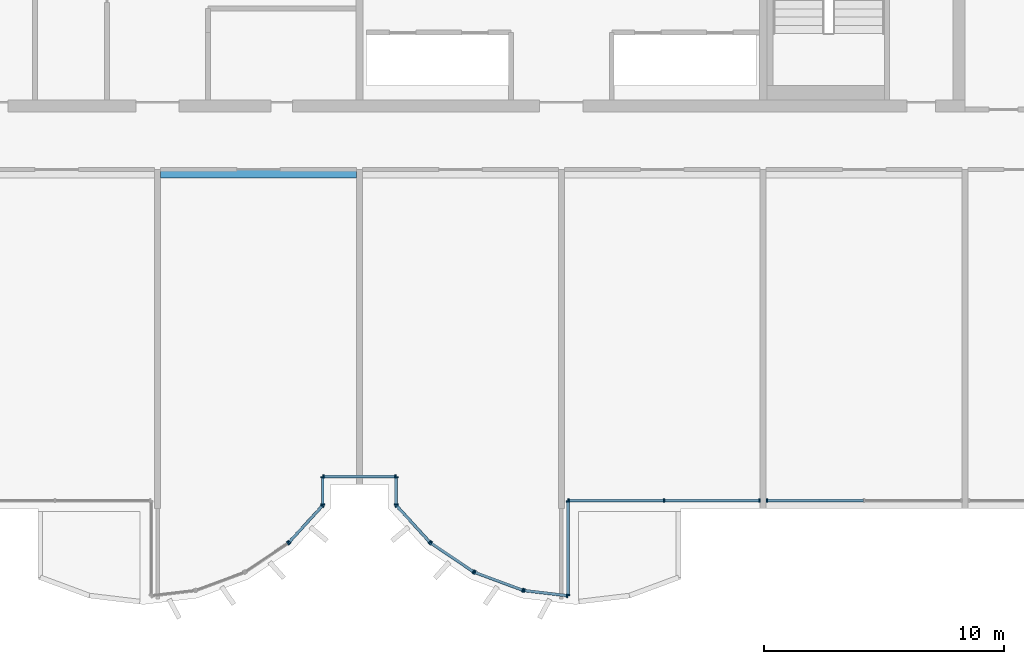
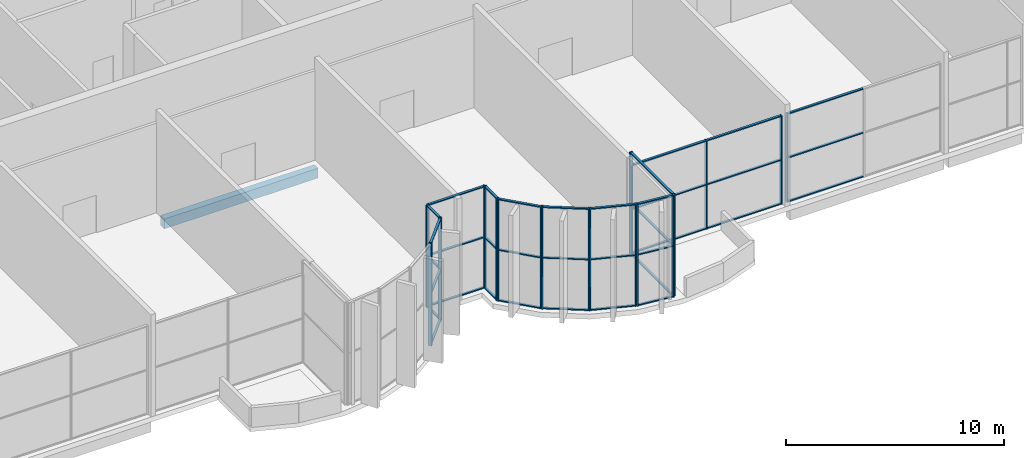
# One storey, part 4 of 17: 59 members, 1 beam, 12 elements without a shape of their own.
"""IFC4 building model written with IfcOpenShell, lengths in metres."""

from ifc_helpers import new_model, si_unit, direction, frame, origin, origin_2d, place, context, subcontext, project, spatial, rectangle, extrude, source, transform, mapped, material, material_profile, profile_set, type_object, element, aggregate, save


model = new_model("IFC4")

# Units and contexts
model_context = context("Model", 3, precision=1e-05, world=origin(), true_north=direction((0.0, 1.0)))
body_context = subcontext(model_context, "Body", "Model", "MODEL_VIEW")
ifc_project = project(units=[si_unit("LENGTHUNIT", "METRE"), si_unit("AREAUNIT", "SQUARE_METRE"), si_unit("VOLUMEUNIT", "CUBIC_METRE"), si_unit("PLANEANGLEUNIT", "RADIAN"), si_unit("MASSUNIT", "GRAM", prefix="KILO")], contexts=[model_context])

# Site, building, storey
site_placement = place(None, origin())
site = spatial("IfcSite", under=ifc_project, at=site_placement, CompositionType="ELEMENT")
building_placement = place(site_placement, origin())
building = spatial("IfcBuilding", under=site, at=building_placement, Name="Vanashikhar Sky Hotel", CompositionType="ELEMENT")
storey_placement = place(building_placement, frame((0.0, 0.0, 323.699951171875)))
storey = spatial("IfcBuildingStorey", under=building, at=storey_placement, Name="L77", CompositionType="ELEMENT", Elevation=323.699951171875)

# Beam
ifc_material_1 = material(Name="Concrete M50", Category="concrete")
ifc_material_profile_1 = material_profile(ifc_material_1, rectangle(XDim=0.35009765625, YDim=0.550048828125, at=origin_2d()))
ifc_profile_set_1 = profile_set([ifc_material_profile_1], Name="RC 350x550 beam Concrete M50")
beam_type = type_object("IfcBeamType", Name="RC 350x550 beam Concrete M50", PredefinedType="SPANDREL", material=ifc_profile_set_1)
shared_shape_1 = source(origin(), body_context, "Body", "SweptSolid", [
    extrude(rectangle(XDim=0.35009765625, YDim=0.550048828125, at=origin_2d()), origin(), (0.0, 0.0, 1.0), 8.14990234375),
])
beam_placement = place(storey_placement, frame((42.125, 19.425048828125, -0.554931640625), z_axis=(1.0, 0.0, 0.0), x_axis=(0.0, 1.0, 0.0)))
element("IfcBeam", 1, at=beam_placement, inside=storey, type_object=beam_type, Name="CB-L77-03", PredefinedType="SPANDREL", context=body_context, shape_type="MappedRepresentation", body=[
    mapped(shared_shape_1, transform((0.0, 0.0, 0.0), scale=1.0)),
])

# Curtain wall, members
ifc_material_2 = material(Name="Glass", Category="glass")
curtain_wall_type = type_object("IfcCurtainWallType", Name="Sky restaurant glazing", PredefinedType="NOTDEFINED", material=ifc_material_2)
curtain_wall_1_placement = place(storey_placement, origin())
curtain_wall_1 = element("IfcCurtainWall", 2, at=curtain_wall_1_placement, inside=storey, type_object=curtain_wall_type, Name="Sky restaurant glazing", PredefinedType="NOTDEFINED")
ifc_material_3 = material(Name="Aluminium 6063-T6", Category="aluminium")
ifc_material_profile_2 = material_profile(ifc_material_3, rectangle(XDim=0.159912109375, YDim=0.06005859375, at=origin_2d()))
ifc_profile_set_2 = profile_set([ifc_material_profile_2], Name="Aluminium 6063-T6")
member_type_1 = type_object("IfcMemberType", Name="Sky restaurant mullion 60 x 160", PredefinedType="MULLION", material=ifc_profile_set_2)
shared_shape_2 = source(origin(), body_context, "Body", "SweptSolid", [
    extrude(rectangle(XDim=0.159912109375, YDim=0.06005859375, at=origin_2d()), origin(), (0.0, 0.0, 1.0), 4.969970703125),
])
member_1_placement = place(storey_placement, frame((59.10498046875, 5.824951171875, 0.0), z_axis=(0.0, 0.0, 1.0), x_axis=(0.0, 1.0, 0.0)))
member_1 = element("IfcMember", 3, at=member_1_placement, type_object=member_type_1, Name="CW-5 mullion 1", PredefinedType="MULLION", context=body_context, shape_type="MappedRepresentation", body=[
    mapped(shared_shape_2, transform((0.0, 0.0, 0.0), scale=1.0)),
])
member_2_placement = place(storey_placement, frame((63.074951171875, 5.824951171875, 0.0), z_axis=(0.0, 0.0, 1.0), x_axis=(0.0, 1.0, 0.0)))
member_2 = element("IfcMember", 4, at=member_2_placement, type_object=member_type_1, Name="CW-5 mullion 2", PredefinedType="MULLION", context=body_context, shape_type="MappedRepresentation", body=[
    mapped(shared_shape_2, transform((0.0, 0.0, 0.0), scale=1.0)),
])
member_3_placement = place(storey_placement, frame((67.044921875, 5.824951171875, 0.0), z_axis=(0.0, 0.0, 1.0), x_axis=(0.0, 1.0, 0.0)))
member_3 = element("IfcMember", 5, at=member_3_placement, type_object=member_type_1, Name="CW-5 mullion 3", PredefinedType="MULLION", context=body_context, shape_type="MappedRepresentation", body=[
    mapped(shared_shape_2, transform((0.0, 0.0, 0.0), scale=1.0)),
])

curtain_wall_2_placement = place(storey_placement, origin())
curtain_wall_2 = element("IfcCurtainWall", 6, at=curtain_wall_2_placement, inside=storey, type_object=curtain_wall_type, Name="Sky restaurant glazing", PredefinedType="NOTDEFINED")
member_4_placement = place(storey_placement, frame((67.35498046875, 5.824951171875, 0.0), z_axis=(0.0, 0.0, 1.0), x_axis=(0.0, 1.0, 0.0)))
member_4 = element("IfcMember", 7, at=member_4_placement, type_object=member_type_1, Name="CW-5 mullion 1", PredefinedType="MULLION", context=body_context, shape_type="MappedRepresentation", body=[
    mapped(shared_shape_2, transform((0.0, 0.0, 0.0), scale=1.0)),
])
ifc_material_profile_3 = material_profile(ifc_material_3, rectangle(XDim=0.1201171875, YDim=0.06005859375, at=origin_2d()))
ifc_profile_set_3 = profile_set([ifc_material_profile_3], Name="Aluminium 6063-T6")
member_type_2 = type_object("IfcMemberType", Name="Sky restaurant transom 60 x 120", PredefinedType="USERDEFINED", material=ifc_profile_set_3)
shared_shape_3 = source(origin(), body_context, "Body", "SweptSolid", [
    extrude(rectangle(XDim=0.1201171875, YDim=0.06005859375, at=origin_2d()), origin(), (0.0, 0.0, 1.0), 3.985107421875),
])
member_5_placement = place(storey_placement, frame((67.385009765625, 5.824951171875, 0.030029296875), z_axis=(1.0, 0.0, 0.0), x_axis=(0.0, 1.0, 0.0)))
member_5 = element("IfcMember", 8, at=member_5_placement, type_object=member_type_2, Name="CW-5 transom 1.1", ObjectType="TRANSOM", PredefinedType="USERDEFINED", context=body_context, shape_type="MappedRepresentation", body=[
    mapped(shared_shape_3, transform((0.0, 0.0, 0.0), scale=1.0)),
])
member_6_placement = place(storey_placement, frame((67.385009765625, 5.824951171875, 2.485107421875), z_axis=(1.0, 0.0, 0.0), x_axis=(0.0, 1.0, 0.0)))
member_6 = element("IfcMember", 9, at=member_6_placement, type_object=member_type_2, Name="CW-5 transom 1.2", ObjectType="TRANSOM", PredefinedType="USERDEFINED", context=body_context, shape_type="MappedRepresentation", body=[
    mapped(shared_shape_3, transform((0.0, 0.0, 0.0), scale=1.0)),
])
member_7_placement = place(storey_placement, frame((67.385009765625, 5.824951171875, 4.93994140625), z_axis=(1.0, 0.0, 0.0), x_axis=(0.0, 1.0, 0.0)))
member_7 = element("IfcMember", 10, at=member_7_placement, type_object=member_type_2, Name="CW-5 transom 1.3", ObjectType="TRANSOM", PredefinedType="USERDEFINED", context=body_context, shape_type="MappedRepresentation", body=[
    mapped(shared_shape_3, transform((0.0, 0.0, 0.0), scale=1.0)),
])
aggregate(curtain_wall_2, [member_4, member_5, member_6, member_7])

# Curtain wall, member
curtain_wall_3_placement = place(storey_placement, origin())
curtain_wall_3 = element("IfcCurtainWall", 11, at=curtain_wall_3_placement, inside=storey, type_object=curtain_wall_type, Name="Sky restaurant glazing", PredefinedType="NOTDEFINED")
shared_shape_4 = source(origin(), body_context, "Body", "SweptSolid", [
    extrude(rectangle(XDim=0.159912109375, YDim=0.06005859375, at=origin_2d()), origin(), (0.0, 0.0, 1.0), 5.719970703125),
])
member_8_placement = place(storey_placement, frame((47.428466796875, 4.05712890625, 0.0), z_axis=(0.0, 0.0, 1.0), x_axis=(-0.558355854624, 0.829601554728, 0.0)))
member_8 = element("IfcMember", 12, at=member_8_placement, type_object=member_type_1, Name="CW-5 mullion 2", PredefinedType="MULLION", context=body_context, shape_type="MappedRepresentation", body=[
    mapped(shared_shape_4, transform((0.0, 0.0, 0.0), scale=1.0)),
])
aggregate(curtain_wall_3, [member_8])

# Curtain wall, members
curtain_wall_4_placement = place(storey_placement, origin())
curtain_wall_4 = element("IfcCurtainWall", 13, at=curtain_wall_4_placement, inside=storey, type_object=curtain_wall_type, Name="Sky restaurant glazing", PredefinedType="NOTDEFINED")
member_9_placement = place(storey_placement, frame((47.4736328125, 4.09619140625, 0.0), z_axis=(0.0, 0.0, 1.0), x_axis=(-0.737471557787, 0.675378191427, 0.0)))
member_9 = element("IfcMember", 14, at=member_9_placement, type_object=member_type_1, Name="CW-5 mullion 1", PredefinedType="MULLION", context=body_context, shape_type="MappedRepresentation", body=[
    mapped(shared_shape_4, transform((0.0, 0.0, 0.0), scale=1.0)),
])
member_10_placement = place(storey_placement, frame((48.854736328125, 5.604248046875, 0.0), z_axis=(0.0, 0.0, 1.0), x_axis=(-0.737471557787, 0.675378191427, 0.0)))
member_10 = element("IfcMember", 15, at=member_10_placement, type_object=member_type_1, Name="CW-5 mullion 2", PredefinedType="MULLION", context=body_context, shape_type="MappedRepresentation", body=[
    mapped(shared_shape_4, transform((0.0, 0.0, 0.0), scale=1.0)),
])

curtain_wall_5_placement = place(storey_placement, origin())
curtain_wall_5 = element("IfcCurtainWall", 16, at=curtain_wall_5_placement, inside=storey, type_object=curtain_wall_type, Name="Sky restaurant glazing", PredefinedType="NOTDEFINED")
member_11_placement = place(storey_placement, frame((48.875, 5.65625, 0.0), z_axis=(0.0, 0.0, 1.0), x_axis=(-1.0, 0.0, 0.0)))
member_11 = element("IfcMember", 17, at=member_11_placement, type_object=member_type_1, Name="CW-5 mullion 1", PredefinedType="MULLION", context=body_context, shape_type="MappedRepresentation", body=[
    mapped(shared_shape_4, transform((0.0, 0.0, 0.0), scale=1.0)),
])
member_12_placement = place(storey_placement, frame((48.875, 6.794921875, 0.0), z_axis=(0.0, 0.0, 1.0), x_axis=(-1.0, 0.0, 0.0)))
member_12 = element("IfcMember", 18, at=member_12_placement, type_object=member_type_1, Name="CW-5 mullion 2", PredefinedType="MULLION", context=body_context, shape_type="MappedRepresentation", body=[
    mapped(shared_shape_4, transform((0.0, 0.0, 0.0), scale=1.0)),
])

curtain_wall_6_placement = place(storey_placement, origin())
curtain_wall_6 = element("IfcCurtainWall", 19, at=curtain_wall_6_placement, inside=storey, type_object=curtain_wall_type, Name="Sky restaurant glazing", PredefinedType="NOTDEFINED")
member_13_placement = place(storey_placement, frame((48.905029296875, 6.824951171875, 0.0), z_axis=(0.0, 0.0, 1.0), x_axis=(0.0, 1.0, 0.0)))
member_13 = element("IfcMember", 20, at=member_13_placement, type_object=member_type_1, Name="CW-5 mullion 1", PredefinedType="MULLION", context=body_context, shape_type="MappedRepresentation", body=[
    mapped(shared_shape_4, transform((0.0, 0.0, 0.0), scale=1.0)),
])
member_14_placement = place(storey_placement, frame((51.89501953125, 6.824951171875, 0.0), z_axis=(0.0, 0.0, 1.0), x_axis=(0.0, 1.0, 0.0)))
member_14 = element("IfcMember", 21, at=member_14_placement, type_object=member_type_1, Name="CW-5 mullion 2", PredefinedType="MULLION", context=body_context, shape_type="MappedRepresentation", body=[
    mapped(shared_shape_4, transform((0.0, 0.0, 0.0), scale=1.0)),
])

curtain_wall_7_placement = place(storey_placement, origin())
curtain_wall_7 = element("IfcCurtainWall", 22, at=curtain_wall_7_placement, inside=storey, type_object=curtain_wall_type, Name="Sky restaurant glazing", PredefinedType="NOTDEFINED")
member_15_placement = place(storey_placement, frame((51.925048828125, 6.794921875, 0.0), z_axis=(0.0, 0.0, 1.0), x_axis=(1.0, 0.0, 0.0)))
member_15 = element("IfcMember", 23, at=member_15_placement, type_object=member_type_1, Name="CW-5 mullion 1", PredefinedType="MULLION", context=body_context, shape_type="MappedRepresentation", body=[
    mapped(shared_shape_4, transform((0.0, 0.0, 0.0), scale=1.0)),
])
member_16_placement = place(storey_placement, frame((51.925048828125, 5.65625, 0.0), z_axis=(0.0, 0.0, 1.0), x_axis=(1.0, 0.0, 0.0)))
member_16 = element("IfcMember", 24, at=member_16_placement, type_object=member_type_1, Name="CW-5 mullion 2", PredefinedType="MULLION", context=body_context, shape_type="MappedRepresentation", body=[
    mapped(shared_shape_4, transform((0.0, 0.0, 0.0), scale=1.0)),
])

curtain_wall_8_placement = place(storey_placement, origin())
curtain_wall_8 = element("IfcCurtainWall", 25, at=curtain_wall_8_placement, inside=storey, type_object=curtain_wall_type, Name="Sky restaurant glazing", PredefinedType="NOTDEFINED")
member_17_placement = place(storey_placement, frame((51.9453125, 5.604248046875, 0.0), z_axis=(0.0, 0.0, 1.0), x_axis=(0.737471557787, 0.675378191427, 0.0)))
member_17 = element("IfcMember", 26, at=member_17_placement, type_object=member_type_1, Name="CW-5 mullion 1", PredefinedType="MULLION", context=body_context, shape_type="MappedRepresentation", body=[
    mapped(shared_shape_4, transform((0.0, 0.0, 0.0), scale=1.0)),
])
member_18_placement = place(storey_placement, frame((53.326416015625, 4.09619140625, 0.0), z_axis=(0.0, 0.0, 1.0), x_axis=(0.737471557787, 0.675378191427, 0.0)))
member_18 = element("IfcMember", 27, at=member_18_placement, type_object=member_type_1, Name="CW-5 mullion 2", PredefinedType="MULLION", context=body_context, shape_type="MappedRepresentation", body=[
    mapped(shared_shape_4, transform((0.0, 0.0, 0.0), scale=1.0)),
])

curtain_wall_9_placement = place(storey_placement, origin())
curtain_wall_9 = element("IfcCurtainWall", 28, at=curtain_wall_9_placement, inside=storey, type_object=curtain_wall_type, Name="Sky restaurant glazing", PredefinedType="NOTDEFINED")
member_19_placement = place(storey_placement, frame((53.37158203125, 4.05712890625, 0.0), z_axis=(0.0, 0.0, 1.0), x_axis=(0.558355854624, 0.829601554728, 0.0)))
member_19 = element("IfcMember", 29, at=member_19_placement, type_object=member_type_1, Name="CW-5 mullion 1", PredefinedType="MULLION", context=body_context, shape_type="MappedRepresentation", body=[
    mapped(shared_shape_4, transform((0.0, 0.0, 0.0), scale=1.0)),
])
member_20_placement = place(storey_placement, frame((55.1416015625, 2.865966796875, 0.0), z_axis=(0.0, 0.0, 1.0), x_axis=(0.558355854624, 0.829601554728, 0.0)))
member_20 = element("IfcMember", 30, at=member_20_placement, type_object=member_type_1, Name="CW-5 mullion 2", PredefinedType="MULLION", context=body_context, shape_type="MappedRepresentation", body=[
    mapped(shared_shape_4, transform((0.0, 0.0, 0.0), scale=1.0)),
])

curtain_wall_10_placement = place(storey_placement, origin())
curtain_wall_10 = element("IfcCurtainWall", 31, at=curtain_wall_10_placement, inside=storey, type_object=curtain_wall_type, Name="Sky restaurant glazing", PredefinedType="NOTDEFINED")
member_21_placement = place(storey_placement, frame((55.194580078125, 2.8388671875, 0.0), z_axis=(0.0, 0.0, 1.0), x_axis=(0.347863704919, 0.937545115075, 0.0)))
member_21 = element("IfcMember", 32, at=member_21_placement, type_object=member_type_1, Name="CW-5 mullion 1", PredefinedType="MULLION", context=body_context, shape_type="MappedRepresentation", body=[
    mapped(shared_shape_4, transform((0.0, 0.0, 0.0), scale=1.0)),
])
member_22_placement = place(storey_placement, frame((57.194580078125, 2.0966796875, 0.0), z_axis=(0.0, 0.0, 1.0), x_axis=(0.347863704919, 0.937545115075, 0.0)))
member_22 = element("IfcMember", 33, at=member_22_placement, type_object=member_type_1, Name="CW-5 mullion 2", PredefinedType="MULLION", context=body_context, shape_type="MappedRepresentation", body=[
    mapped(shared_shape_4, transform((0.0, 0.0, 0.0), scale=1.0)),
])

curtain_wall_11_placement = place(storey_placement, origin())
curtain_wall_11 = element("IfcCurtainWall", 34, at=curtain_wall_11_placement, inside=storey, type_object=curtain_wall_type, Name="Sky restaurant glazing", PredefinedType="NOTDEFINED")
member_23_placement = place(storey_placement, frame((57.252685546875, 2.082763671875, 0.0), z_axis=(0.0, 0.0, 1.0), x_axis=(0.11810716356, 0.993000854942, 0.0)))
member_23 = element("IfcMember", 35, at=member_23_placement, type_object=member_type_1, Name="CW-5 mullion 1", PredefinedType="MULLION", context=body_context, shape_type="MappedRepresentation", body=[
    mapped(shared_shape_4, transform((0.0, 0.0, 0.0), scale=1.0)),
])
member_24_placement = place(storey_placement, frame((59.045166015625, 1.869384765625, 0.0), z_axis=(0.0, 0.0, 1.0), x_axis=(0.11810716356, 0.993000854942, 0.0)))
member_24 = element("IfcMember", 36, at=member_24_placement, type_object=member_type_1, Name="CW-5 mullion 2", PredefinedType="MULLION", context=body_context, shape_type="MappedRepresentation", body=[
    mapped(shared_shape_4, transform((0.0, 0.0, 0.0), scale=1.0)),
])

curtain_wall_12_placement = place(storey_placement, origin())
curtain_wall_12 = element("IfcCurtainWall", 37, at=curtain_wall_12_placement, inside=storey, type_object=curtain_wall_type, Name="Sky restaurant glazing", PredefinedType="NOTDEFINED")
member_25_placement = place(storey_placement, frame((59.074951171875, 1.89599609375, 0.0), z_axis=(0.0, 0.0, 1.0), x_axis=(-1.0, 0.0, 0.0)))
member_25 = element("IfcMember", 38, at=member_25_placement, type_object=member_type_1, Name="CW-5 mullion 1", PredefinedType="MULLION", context=body_context, shape_type="MappedRepresentation", body=[
    mapped(shared_shape_4, transform((0.0, 0.0, 0.0), scale=1.0)),
])
member_26_placement = place(storey_placement, frame((59.074951171875, 5.794921875, 0.0), z_axis=(0.0, 0.0, 1.0), x_axis=(-1.0, 0.0, 0.0)))
member_26 = element("IfcMember", 39, at=member_26_placement, type_object=member_type_1, Name="CW-5 mullion 2", PredefinedType="MULLION", context=body_context, shape_type="MappedRepresentation", body=[
    mapped(shared_shape_4, transform((0.0, 0.0, 0.0), scale=1.0)),
])
shared_shape_5 = source(origin(), body_context, "Body", "SweptSolid", [
    extrude(rectangle(XDim=0.1201171875, YDim=0.06005859375, at=origin_2d()), origin(), (0.0, 0.0, 1.0), 3.839111328125),
])
member_27_placement = place(storey_placement, frame((59.074951171875, 1.92578125, 0.030029296875), z_axis=(0.0, 1.0, 0.0), x_axis=(-1.0, 0.0, 0.0)))
member_27 = element("IfcMember", 40, at=member_27_placement, type_object=member_type_2, Name="CW-5 transom 1.1", ObjectType="TRANSOM", PredefinedType="USERDEFINED", context=body_context, shape_type="MappedRepresentation", body=[
    mapped(shared_shape_5, transform((0.0, 0.0, 0.0), scale=1.0)),
])
member_28_placement = place(storey_placement, frame((59.074951171875, 1.92578125, 2.860107421875), z_axis=(0.0, 1.0, 0.0), x_axis=(-1.0, 0.0, 0.0)))
member_28 = element("IfcMember", 41, at=member_28_placement, type_object=member_type_2, Name="CW-5 transom 1.2", ObjectType="TRANSOM", PredefinedType="USERDEFINED", context=body_context, shape_type="MappedRepresentation", body=[
    mapped(shared_shape_5, transform((0.0, 0.0, 0.0), scale=1.0)),
])
member_29_placement = place(storey_placement, frame((59.074951171875, 1.92578125, 5.68994140625), z_axis=(0.0, 1.0, 0.0), x_axis=(-1.0, 0.0, 0.0)))
member_29 = element("IfcMember", 42, at=member_29_placement, type_object=member_type_2, Name="CW-5 transom 1.3", ObjectType="TRANSOM", PredefinedType="USERDEFINED", context=body_context, shape_type="MappedRepresentation", body=[
    mapped(shared_shape_5, transform((0.0, 0.0, 0.0), scale=1.0)),
])
aggregate(curtain_wall_12, [member_25, member_26, member_27, member_28, member_29])

# Member
shared_shape_6 = source(origin(), body_context, "Body", "SweptSolid", [
    extrude(rectangle(XDim=0.1201171875, YDim=0.06005859375, at=origin_2d()), origin(), (0.0, 0.0, 1.0), 1.7451171875),
])
member_30_placement = place(storey_placement, frame((57.282470703125, 2.0791015625, 0.030029296875), z_axis=(0.993004686546, -0.118074944413, 0.0), x_axis=(0.118074944413, 0.993004686546, 0.0)))
member_30 = element("IfcMember", 43, at=member_30_placement, type_object=member_type_2, Name="CW-5 transom 1.1", ObjectType="TRANSOM", PredefinedType="USERDEFINED", context=body_context, shape_type="MappedRepresentation", body=[
    mapped(shared_shape_6, transform((0.0, 0.0, 0.0), scale=1.0)),
])

member_31_placement = place(storey_placement, frame((57.282470703125, 2.0791015625, 2.860107421875), z_axis=(0.993004686546, -0.118074944413, 0.0), x_axis=(0.118074944413, 0.993004686546, 0.0)))
member_31 = element("IfcMember", 44, at=member_31_placement, type_object=member_type_2, Name="CW-5 transom 1.2", ObjectType="TRANSOM", PredefinedType="USERDEFINED", context=body_context, shape_type="MappedRepresentation", body=[
    mapped(shared_shape_6, transform((0.0, 0.0, 0.0), scale=1.0)),
])

member_32_placement = place(storey_placement, frame((57.282470703125, 2.0791015625, 5.68994140625), z_axis=(0.993004686546, -0.118074944413, 0.0), x_axis=(0.118074944413, 0.993004686546, 0.0)))
member_32 = element("IfcMember", 45, at=member_32_placement, type_object=member_type_2, Name="CW-5 transom 1.3", ObjectType="TRANSOM", PredefinedType="USERDEFINED", context=body_context, shape_type="MappedRepresentation", body=[
    mapped(shared_shape_6, transform((0.0, 0.0, 0.0), scale=1.0)),
])

aggregate(curtain_wall_11, [member_23, member_24, member_30, member_31, member_32])

shared_shape_7 = source(origin(), body_context, "Body", "SweptSolid", [
    extrude(rectangle(XDim=0.1201171875, YDim=0.06005859375, at=origin_2d()), origin(), (0.0, 0.0, 1.0), 2.0732421875),
])
member_33_placement = place(storey_placement, frame((55.22265625, 2.828369140625, 0.030029296875), z_axis=(0.93755259244, -0.347843551629, 0.0), x_axis=(0.347843551629, 0.93755259244, 0.0)))
member_33 = element("IfcMember", 46, at=member_33_placement, type_object=member_type_2, Name="CW-5 transom 1.1", ObjectType="TRANSOM", PredefinedType="USERDEFINED", context=body_context, shape_type="MappedRepresentation", body=[
    mapped(shared_shape_7, transform((0.0, 0.0, 0.0), scale=1.0)),
])

member_34_placement = place(storey_placement, frame((55.22265625, 2.828369140625, 2.860107421875), z_axis=(0.93755259244, -0.347843551629, 0.0), x_axis=(0.347843551629, 0.93755259244, 0.0)))
member_34 = element("IfcMember", 47, at=member_34_placement, type_object=member_type_2, Name="CW-5 transom 1.2", ObjectType="TRANSOM", PredefinedType="USERDEFINED", context=body_context, shape_type="MappedRepresentation", body=[
    mapped(shared_shape_7, transform((0.0, 0.0, 0.0), scale=1.0)),
])

member_35_placement = place(storey_placement, frame((55.22265625, 2.828369140625, 5.68994140625), z_axis=(0.93755259244, -0.347843551629, 0.0), x_axis=(0.347843551629, 0.93755259244, 0.0)))
member_35 = element("IfcMember", 48, at=member_35_placement, type_object=member_type_2, Name="CW-5 transom 1.3", ObjectType="TRANSOM", PredefinedType="USERDEFINED", context=body_context, shape_type="MappedRepresentation", body=[
    mapped(shared_shape_7, transform((0.0, 0.0, 0.0), scale=1.0)),
])

aggregate(curtain_wall_10, [member_21, member_22, member_33, member_34, member_35])

shared_shape_8 = source(origin(), body_context, "Body", "SweptSolid", [
    extrude(rectangle(XDim=0.1201171875, YDim=0.06005859375, at=origin_2d()), origin(), (0.0, 0.0, 1.0), 2.073486328125),
])
member_36_placement = place(storey_placement, frame((53.396484375, 4.04052734375, 0.030029296875), z_axis=(0.829615017144, -0.558335851731, 0.0), x_axis=(0.558335851731, 0.829615017144, 0.0)))
member_36 = element("IfcMember", 49, at=member_36_placement, type_object=member_type_2, Name="CW-5 transom 1.1", ObjectType="TRANSOM", PredefinedType="USERDEFINED", context=body_context, shape_type="MappedRepresentation", body=[
    mapped(shared_shape_8, transform((0.0, 0.0, 0.0), scale=1.0)),
])

member_37_placement = place(storey_placement, frame((53.396484375, 4.04052734375, 2.860107421875), z_axis=(0.829615017144, -0.558335851731, 0.0), x_axis=(0.558335851731, 0.829615017144, 0.0)))
member_37 = element("IfcMember", 50, at=member_37_placement, type_object=member_type_2, Name="CW-5 transom 1.2", ObjectType="TRANSOM", PredefinedType="USERDEFINED", context=body_context, shape_type="MappedRepresentation", body=[
    mapped(shared_shape_8, transform((0.0, 0.0, 0.0), scale=1.0)),
])

member_38_placement = place(storey_placement, frame((53.396484375, 4.04052734375, 5.68994140625), z_axis=(0.829615017144, -0.558335851731, 0.0), x_axis=(0.558335851731, 0.829615017144, 0.0)))
member_38 = element("IfcMember", 51, at=member_38_placement, type_object=member_type_2, Name="CW-5 transom 1.3", ObjectType="TRANSOM", PredefinedType="USERDEFINED", context=body_context, shape_type="MappedRepresentation", body=[
    mapped(shared_shape_8, transform((0.0, 0.0, 0.0), scale=1.0)),
])

aggregate(curtain_wall_9, [member_19, member_20, member_36, member_37, member_38])

shared_shape_9 = source(origin(), body_context, "Body", "SweptSolid", [
    extrude(rectangle(XDim=0.1201171875, YDim=0.06005859375, at=origin_2d()), origin(), (0.0, 0.0, 1.0), 1.98486328125),
])
member_39_placement = place(storey_placement, frame((47.493896484375, 4.1181640625, 0.030029296875), z_axis=(0.675368094737, 0.737480804233, 0.0), x_axis=(-0.737480804233, 0.675368094737, 0.0)))
member_39 = element("IfcMember", 52, at=member_39_placement, type_object=member_type_2, Name="CW-5 transom 1.1", ObjectType="TRANSOM", PredefinedType="USERDEFINED", context=body_context, shape_type="MappedRepresentation", body=[
    mapped(shared_shape_9, transform((0.0, 0.0, 0.0), scale=1.0)),
])

member_40_placement = place(storey_placement, frame((47.493896484375, 4.1181640625, 2.860107421875), z_axis=(0.675368094737, 0.737480804233, 0.0), x_axis=(-0.737480804233, 0.675368094737, 0.0)))
member_40 = element("IfcMember", 53, at=member_40_placement, type_object=member_type_2, Name="CW-5 transom 1.2", ObjectType="TRANSOM", PredefinedType="USERDEFINED", context=body_context, shape_type="MappedRepresentation", body=[
    mapped(shared_shape_9, transform((0.0, 0.0, 0.0), scale=1.0)),
])

member_41_placement = place(storey_placement, frame((47.493896484375, 4.1181640625, 5.68994140625), z_axis=(0.675368094737, 0.737480804233, 0.0), x_axis=(-0.737480804233, 0.675368094737, 0.0)))
member_41 = element("IfcMember", 54, at=member_41_placement, type_object=member_type_2, Name="CW-5 transom 1.3", ObjectType="TRANSOM", PredefinedType="USERDEFINED", context=body_context, shape_type="MappedRepresentation", body=[
    mapped(shared_shape_9, transform((0.0, 0.0, 0.0), scale=1.0)),
])

aggregate(curtain_wall_4, [member_9, member_10, member_39, member_40, member_41])

member_42_placement = place(storey_placement, frame((51.965576171875, 5.58203125, 0.030029296875), z_axis=(0.675368094737, -0.737480804233, 0.0), x_axis=(0.737480804233, 0.675368094737, 0.0)))
member_42 = element("IfcMember", 55, at=member_42_placement, type_object=member_type_2, Name="CW-5 transom 1.1", ObjectType="TRANSOM", PredefinedType="USERDEFINED", context=body_context, shape_type="MappedRepresentation", body=[
    mapped(shared_shape_9, transform((0.0, 0.0, 0.0), scale=1.0)),
])

member_43_placement = place(storey_placement, frame((51.965576171875, 5.58203125, 2.860107421875), z_axis=(0.675368094737, -0.737480804233, 0.0), x_axis=(0.737480804233, 0.675368094737, 0.0)))
member_43 = element("IfcMember", 56, at=member_43_placement, type_object=member_type_2, Name="CW-5 transom 1.2", ObjectType="TRANSOM", PredefinedType="USERDEFINED", context=body_context, shape_type="MappedRepresentation", body=[
    mapped(shared_shape_9, transform((0.0, 0.0, 0.0), scale=1.0)),
])

member_44_placement = place(storey_placement, frame((51.965576171875, 5.58203125, 5.68994140625), z_axis=(0.675368094737, -0.737480804233, 0.0), x_axis=(0.737480804233, 0.675368094737, 0.0)))
member_44 = element("IfcMember", 57, at=member_44_placement, type_object=member_type_2, Name="CW-5 transom 1.3", ObjectType="TRANSOM", PredefinedType="USERDEFINED", context=body_context, shape_type="MappedRepresentation", body=[
    mapped(shared_shape_9, transform((0.0, 0.0, 0.0), scale=1.0)),
])

aggregate(curtain_wall_8, [member_17, member_18, member_42, member_43, member_44])

shared_shape_10 = source(origin(), body_context, "Body", "SweptSolid", [
    extrude(rectangle(XDim=0.1201171875, YDim=0.06005859375, at=origin_2d()), origin(), (0.0, 0.0, 1.0), 1.07861328125),
])
member_45_placement = place(storey_placement, frame((48.875, 5.686279296875, 0.030029296875), z_axis=(0.0, 1.0, 0.0), x_axis=(-1.0, 0.0, 0.0)))
member_45 = element("IfcMember", 58, at=member_45_placement, type_object=member_type_2, Name="CW-5 transom 1.1", ObjectType="TRANSOM", PredefinedType="USERDEFINED", context=body_context, shape_type="MappedRepresentation", body=[
    mapped(shared_shape_10, transform((0.0, 0.0, 0.0), scale=1.0)),
])

member_46_placement = place(storey_placement, frame((48.875, 5.686279296875, 2.860107421875), z_axis=(0.0, 1.0, 0.0), x_axis=(-1.0, 0.0, 0.0)))
member_46 = element("IfcMember", 59, at=member_46_placement, type_object=member_type_2, Name="CW-5 transom 1.2", ObjectType="TRANSOM", PredefinedType="USERDEFINED", context=body_context, shape_type="MappedRepresentation", body=[
    mapped(shared_shape_10, transform((0.0, 0.0, 0.0), scale=1.0)),
])

member_47_placement = place(storey_placement, frame((48.875, 5.686279296875, 5.68994140625), z_axis=(0.0, 1.0, 0.0), x_axis=(-1.0, 0.0, 0.0)))
member_47 = element("IfcMember", 60, at=member_47_placement, type_object=member_type_2, Name="CW-5 transom 1.3", ObjectType="TRANSOM", PredefinedType="USERDEFINED", context=body_context, shape_type="MappedRepresentation", body=[
    mapped(shared_shape_10, transform((0.0, 0.0, 0.0), scale=1.0)),
])

aggregate(curtain_wall_5, [member_11, member_12, member_45, member_46, member_47])

member_48_placement = place(storey_placement, frame((51.925048828125, 6.764892578125, 0.030029296875), z_axis=(0.0, -1.0, 0.0), x_axis=(1.0, 0.0, 0.0)))
member_48 = element("IfcMember", 61, at=member_48_placement, type_object=member_type_2, Name="CW-5 transom 1.1", ObjectType="TRANSOM", PredefinedType="USERDEFINED", context=body_context, shape_type="MappedRepresentation", body=[
    mapped(shared_shape_10, transform((0.0, 0.0, 0.0), scale=1.0)),
])

member_49_placement = place(storey_placement, frame((51.925048828125, 6.764892578125, 2.860107421875), z_axis=(0.0, -1.0, 0.0), x_axis=(1.0, 0.0, 0.0)))
member_49 = element("IfcMember", 62, at=member_49_placement, type_object=member_type_2, Name="CW-5 transom 1.2", ObjectType="TRANSOM", PredefinedType="USERDEFINED", context=body_context, shape_type="MappedRepresentation", body=[
    mapped(shared_shape_10, transform((0.0, 0.0, 0.0), scale=1.0)),
])

member_50_placement = place(storey_placement, frame((51.925048828125, 6.764892578125, 5.68994140625), z_axis=(0.0, -1.0, 0.0), x_axis=(1.0, 0.0, 0.0)))
member_50 = element("IfcMember", 63, at=member_50_placement, type_object=member_type_2, Name="CW-5 transom 1.3", ObjectType="TRANSOM", PredefinedType="USERDEFINED", context=body_context, shape_type="MappedRepresentation", body=[
    mapped(shared_shape_10, transform((0.0, 0.0, 0.0), scale=1.0)),
])

aggregate(curtain_wall_7, [member_15, member_16, member_48, member_49, member_50])

shared_shape_11 = source(origin(), body_context, "Body", "SweptSolid", [
    extrude(rectangle(XDim=0.1201171875, YDim=0.06005859375, at=origin_2d()), origin(), (0.0, 0.0, 1.0), 2.929931640625),
])
member_51_placement = place(storey_placement, frame((48.93505859375, 6.824951171875, 0.030029296875), z_axis=(1.0, 0.0, 0.0), x_axis=(0.0, 1.0, 0.0)))
member_51 = element("IfcMember", 64, at=member_51_placement, type_object=member_type_2, Name="CW-5 transom 1.1", ObjectType="TRANSOM", PredefinedType="USERDEFINED", context=body_context, shape_type="MappedRepresentation", body=[
    mapped(shared_shape_11, transform((0.0, 0.0, 0.0), scale=1.0)),
])

member_52_placement = place(storey_placement, frame((48.93505859375, 6.824951171875, 2.860107421875), z_axis=(1.0, 0.0, 0.0), x_axis=(0.0, 1.0, 0.0)))
member_52 = element("IfcMember", 65, at=member_52_placement, type_object=member_type_2, Name="CW-5 transom 1.2", ObjectType="TRANSOM", PredefinedType="USERDEFINED", context=body_context, shape_type="MappedRepresentation", body=[
    mapped(shared_shape_11, transform((0.0, 0.0, 0.0), scale=1.0)),
])

member_53_placement = place(storey_placement, frame((48.93505859375, 6.824951171875, 5.68994140625), z_axis=(1.0, 0.0, 0.0), x_axis=(0.0, 1.0, 0.0)))
member_53 = element("IfcMember", 66, at=member_53_placement, type_object=member_type_2, Name="CW-5 transom 1.3", ObjectType="TRANSOM", PredefinedType="USERDEFINED", context=body_context, shape_type="MappedRepresentation", body=[
    mapped(shared_shape_11, transform((0.0, 0.0, 0.0), scale=1.0)),
])

aggregate(curtain_wall_6, [member_13, member_14, member_51, member_52, member_53])

shared_shape_12 = source(origin(), body_context, "Body", "SweptSolid", [
    extrude(rectangle(XDim=0.1201171875, YDim=0.06005859375, at=origin_2d()), origin(), (0.0, 0.0, 1.0), 3.909912109375),
])
member_54_placement = place(storey_placement, frame((59.135009765625, 5.824951171875, 0.030029296875), z_axis=(1.0, 0.0, 0.0), x_axis=(0.0, 1.0, 0.0)))
member_54 = element("IfcMember", 67, at=member_54_placement, type_object=member_type_2, Name="CW-5 transom 1.1", ObjectType="TRANSOM", PredefinedType="USERDEFINED", context=body_context, shape_type="MappedRepresentation", body=[
    mapped(shared_shape_12, transform((0.0, 0.0, 0.0), scale=1.0)),
])

member_55_placement = place(storey_placement, frame((59.135009765625, 5.824951171875, 2.485107421875), z_axis=(1.0, 0.0, 0.0), x_axis=(0.0, 1.0, 0.0)))
member_55 = element("IfcMember", 68, at=member_55_placement, type_object=member_type_2, Name="CW-5 transom 1.2", ObjectType="TRANSOM", PredefinedType="USERDEFINED", context=body_context, shape_type="MappedRepresentation", body=[
    mapped(shared_shape_12, transform((0.0, 0.0, 0.0), scale=1.0)),
])

member_56_placement = place(storey_placement, frame((59.135009765625, 5.824951171875, 4.93994140625), z_axis=(1.0, 0.0, 0.0), x_axis=(0.0, 1.0, 0.0)))
member_56 = element("IfcMember", 69, at=member_56_placement, type_object=member_type_2, Name="CW-5 transom 1.3", ObjectType="TRANSOM", PredefinedType="USERDEFINED", context=body_context, shape_type="MappedRepresentation", body=[
    mapped(shared_shape_12, transform((0.0, 0.0, 0.0), scale=1.0)),
])

member_57_placement = place(storey_placement, frame((63.10498046875, 5.824951171875, 0.030029296875), z_axis=(1.0, 0.0, 0.0), x_axis=(0.0, 1.0, 0.0)))
member_57 = element("IfcMember", 70, at=member_57_placement, type_object=member_type_2, Name="CW-5 transom 2.1", ObjectType="TRANSOM", PredefinedType="USERDEFINED", context=body_context, shape_type="MappedRepresentation", body=[
    mapped(shared_shape_12, transform((0.0, 0.0, 0.0), scale=1.0)),
])

member_58_placement = place(storey_placement, frame((63.10498046875, 5.824951171875, 2.485107421875), z_axis=(1.0, 0.0, 0.0), x_axis=(0.0, 1.0, 0.0)))
member_58 = element("IfcMember", 71, at=member_58_placement, type_object=member_type_2, Name="CW-5 transom 2.2", ObjectType="TRANSOM", PredefinedType="USERDEFINED", context=body_context, shape_type="MappedRepresentation", body=[
    mapped(shared_shape_12, transform((0.0, 0.0, 0.0), scale=1.0)),
])

member_59_placement = place(storey_placement, frame((63.10498046875, 5.824951171875, 4.93994140625), z_axis=(1.0, 0.0, 0.0), x_axis=(0.0, 1.0, 0.0)))
member_59 = element("IfcMember", 72, at=member_59_placement, type_object=member_type_2, Name="CW-5 transom 2.3", ObjectType="TRANSOM", PredefinedType="USERDEFINED", context=body_context, shape_type="MappedRepresentation", body=[
    mapped(shared_shape_12, transform((0.0, 0.0, 0.0), scale=1.0)),
])

aggregate(curtain_wall_1, [member_1, member_2, member_3, member_54, member_55, member_56, member_57, member_58, member_59])

save(model, "model.ifc")
